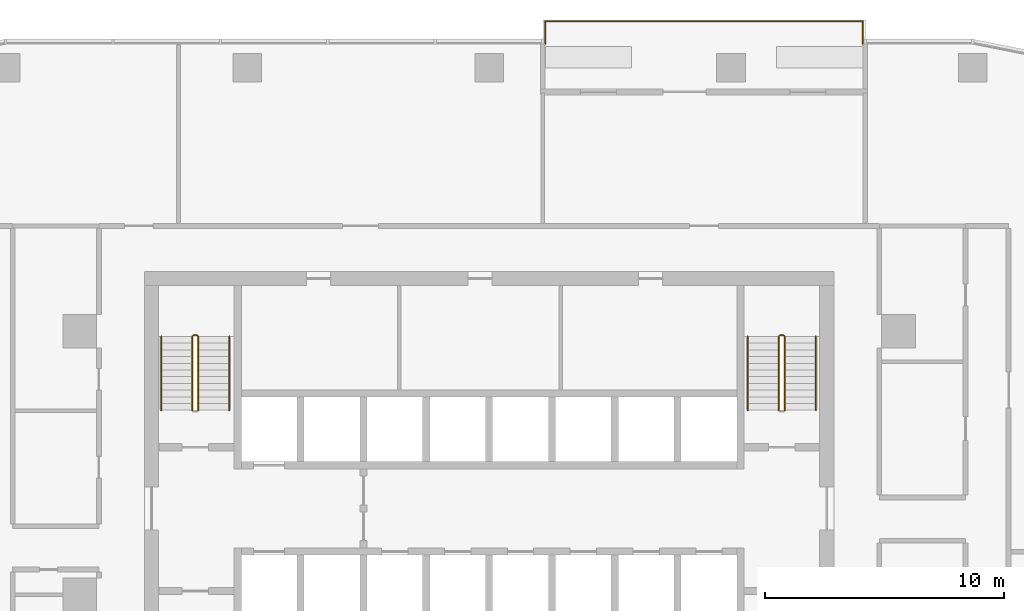
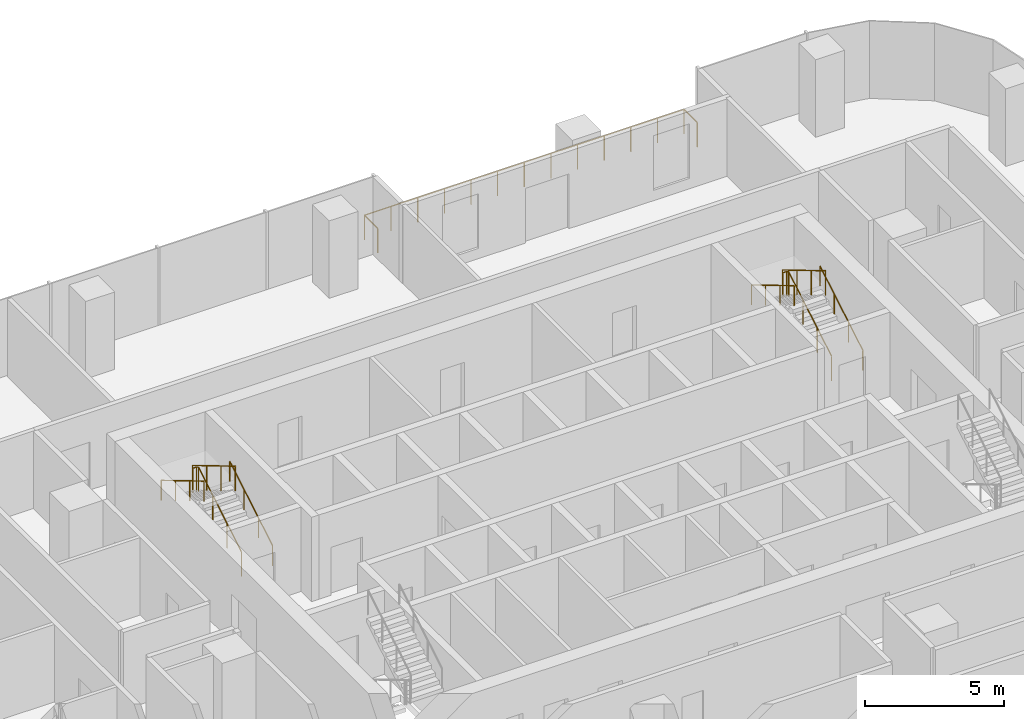
# One storey, part 14 of 14: 9 railings.
"""IFC4 building model written with IfcOpenShell, lengths in metres."""

from ifc_helpers import new_model, si_unit, direction, frame, origin, origin_2d, place, context, subcontext, project, spatial, circle, extrude, material, type_object, element, save


model = new_model("IFC4")

# Units and contexts
model_context = context("Model", 3, precision=1e-05, world=origin(), true_north=direction((0.0, 1.0)))
body_context = subcontext(model_context, "Body", "Model", "MODEL_VIEW")
ifc_project = project(units=[si_unit("LENGTHUNIT", "METRE"), si_unit("AREAUNIT", "SQUARE_METRE"), si_unit("VOLUMEUNIT", "CUBIC_METRE"), si_unit("PLANEANGLEUNIT", "RADIAN"), si_unit("MASSUNIT", "GRAM", prefix="KILO")], contexts=[model_context])

# Site, building, storey
site_placement = place(None, origin())
site = spatial("IfcSite", under=ifc_project, at=site_placement, CompositionType="ELEMENT")
building_placement = place(site_placement, origin())
building = spatial("IfcBuilding", under=site, at=building_placement, Name="Mopane Tessera Tower", CompositionType="ELEMENT")
storey_placement = place(building_placement, frame((0.0, 0.0, 201.0)))
storey = spatial("IfcBuildingStorey", under=building, at=storey_placement, Name="L42", CompositionType="ELEMENT", Elevation=201.0)

# Railings
ifc_material_1 = material(Name="Powder-coated steel balustrade", Category="steel")
railing_type_1 = type_object("IfcRailingType", Name="Escape stair guard 1100 mm", PredefinedType="GUARDRAIL", material=ifc_material_1)
railing_1_placement = place(storey_placement, frame((-12.14990234375, 7.699951171875, 0.166748046875)))
element("IfcRailing", 1, at=railing_1_placement, inside=storey, type_object=railing_type_1, Name="L42 ST2 stair guard 1", PredefinedType="GUARDRAIL", context=body_context, shape_type="SweptSolid", body=[
    extrude(circle(Radius=0.02392578125, at=origin_2d()), frame((0.0, 0.0, 1.076171875), z_axis=(0.0, 0.859308565015, 0.511457515432), x_axis=(-1.0, 0.0, 0.0)), (0.0, 0.0, 1.0), 3.58447265625),
    extrude(circle(Radius=0.02392578125, at=origin_2d()), frame((0.0, 3.080078125, 2.9091796875), z_axis=(-0.707106781187, 0.707106781187, 0.0), x_axis=(-0.707106781187, -0.707106781187, 0.0)), (0.0, 0.0, 1.0), 0.07080078125),
    extrude(circle(Radius=0.02392578125, at=origin_2d()), frame((-0.050048828125, 3.130126953125, 2.9091796875), z_axis=(-1.0, 0.0, 0.0), x_axis=(0.0, -1.0, 0.0)), (0.0, 0.0, 1.0), 0.150146484375),
    extrude(circle(Radius=0.02099609375, at=origin_2d()), origin(), (0.0, 0.0, 1.0), 1.052001953125),
    extrude(circle(Radius=0.02099609375, at=origin_2d()), frame((0.0, 1.026611328125, 0.611083984375)), (0.0, 0.0, 1.0), 1.052001953125),
    extrude(circle(Radius=0.02099609375, at=origin_2d()), frame((0.0, 2.053466796875, 1.22216796875)), (0.0, 0.0, 1.0), 1.052001953125),
    extrude(circle(Radius=0.02099609375, at=origin_2d()), frame((0.0, 3.080078125, 1.833251953125)), (0.0, 0.0, 1.0), 1.052001953125),
    extrude(circle(Radius=0.02099609375, at=origin_2d()), frame((-0.050048828125, 3.130126953125, 1.833251953125)), (0.0, 0.0, 1.0), 1.052001953125),
    extrude(circle(Radius=0.02099609375, at=origin_2d()), frame((-0.2001953125, 3.130126953125, 1.833251953125)), (0.0, 0.0, 1.0), 1.052001953125),
])
railing_2_placement = place(storey_placement, frame((-12.39990234375, 10.780029296875, 2.166748046875)))
element("IfcRailing", 2, at=railing_2_placement, inside=storey, type_object=railing_type_1, Name="L42 ST2 stair guard 2", PredefinedType="GUARDRAIL", context=body_context, shape_type="SweptSolid", body=[
    extrude(circle(Radius=0.02392578125, at=origin_2d()), frame((0.0, 0.0, 1.076171875), z_axis=(0.0, -0.859308565015, 0.511457515432), x_axis=(1.0, 0.0, 0.0)), (0.0, 0.0, 1.0), 3.58447265625),
    extrude(circle(Radius=0.02099609375, at=origin_2d()), origin(), (0.0, 0.0, 1.0), 1.052001953125),
    extrude(circle(Radius=0.02099609375, at=origin_2d()), frame((0.0, -1.026611328125, 0.611083984375)), (0.0, 0.0, 1.0), 1.052001953125),
    extrude(circle(Radius=0.02099609375, at=origin_2d()), frame((0.0, -2.053466796875, 1.22216796875)), (0.0, 0.0, 1.0), 1.052001953125),
    extrude(circle(Radius=0.02099609375, at=origin_2d()), frame((0.0, -3.080078125, 1.833251953125)), (0.0, 0.0, 1.0), 1.052001953125),
])
railing_3_placement = place(storey_placement, frame((12.35009765625, 7.699951171875, 0.166748046875)))
element("IfcRailing", 3, at=railing_3_placement, inside=storey, type_object=railing_type_1, Name="L42 ST4 stair guard 1", PredefinedType="GUARDRAIL", context=body_context, shape_type="SweptSolid", body=[
    extrude(circle(Radius=0.02392578125, at=origin_2d()), frame((0.0, 0.0, 1.076171875), z_axis=(0.0, 0.859308565015, 0.511457515432), x_axis=(-1.0, 0.0, 0.0)), (0.0, 0.0, 1.0), 3.58447265625),
    extrude(circle(Radius=0.02392578125, at=origin_2d()), frame((0.0, 3.080078125, 2.9091796875), z_axis=(-0.707106781187, 0.707106781187, 0.0), x_axis=(-0.707106781187, -0.707106781187, 0.0)), (0.0, 0.0, 1.0), 0.07080078125),
    extrude(circle(Radius=0.02392578125, at=origin_2d()), frame((-0.050048828125, 3.130126953125, 2.9091796875), z_axis=(-1.0, 0.0, 0.0), x_axis=(0.0, -1.0, 0.0)), (0.0, 0.0, 1.0), 0.150146484375),
    extrude(circle(Radius=0.02099609375, at=origin_2d()), origin(), (0.0, 0.0, 1.0), 1.052001953125),
    extrude(circle(Radius=0.02099609375, at=origin_2d()), frame((0.0, 1.026611328125, 0.611083984375)), (0.0, 0.0, 1.0), 1.052001953125),
    extrude(circle(Radius=0.02099609375, at=origin_2d()), frame((0.0, 2.053466796875, 1.22216796875)), (0.0, 0.0, 1.0), 1.052001953125),
    extrude(circle(Radius=0.02099609375, at=origin_2d()), frame((0.0, 3.080078125, 1.833251953125)), (0.0, 0.0, 1.0), 1.052001953125),
    extrude(circle(Radius=0.02099609375, at=origin_2d()), frame((-0.050048828125, 3.130126953125, 1.833251953125)), (0.0, 0.0, 1.0), 1.052001953125),
    extrude(circle(Radius=0.02099609375, at=origin_2d()), frame((-0.2001953125, 3.130126953125, 1.833251953125)), (0.0, 0.0, 1.0), 1.052001953125),
])
railing_4_placement = place(storey_placement, frame((12.10009765625, 10.780029296875, 2.166748046875)))
element("IfcRailing", 4, at=railing_4_placement, inside=storey, type_object=railing_type_1, Name="L42 ST4 stair guard 2", PredefinedType="GUARDRAIL", context=body_context, shape_type="SweptSolid", body=[
    extrude(circle(Radius=0.02392578125, at=origin_2d()), frame((0.0, 0.0, 1.076171875), z_axis=(0.0, -0.859308565015, 0.511457515432), x_axis=(1.0, 0.0, 0.0)), (0.0, 0.0, 1.0), 3.58447265625),
    extrude(circle(Radius=0.02099609375, at=origin_2d()), origin(), (0.0, 0.0, 1.0), 1.052001953125),
    extrude(circle(Radius=0.02099609375, at=origin_2d()), frame((0.0, -1.026611328125, 0.611083984375)), (0.0, 0.0, 1.0), 1.052001953125),
    extrude(circle(Radius=0.02099609375, at=origin_2d()), frame((0.0, -2.053466796875, 1.22216796875)), (0.0, 0.0, 1.0), 1.052001953125),
    extrude(circle(Radius=0.02099609375, at=origin_2d()), frame((0.0, -3.080078125, 1.833251953125)), (0.0, 0.0, 1.0), 1.052001953125),
])
ifc_material_2 = material(Name="Powder-coated steel balustrade", Category="steel")
railing_type_2 = type_object("IfcRailingType", Name="Escape stair handrail 900 mm", PredefinedType="HANDRAIL", material=ifc_material_2)
railing_5_placement = place(storey_placement, frame((-10.85009765625, 7.699951171875, 0.166748046875)))
element("IfcRailing", 5, at=railing_5_placement, inside=storey, type_object=railing_type_2, Name="L42 ST2 stair handrail 1", PredefinedType="HANDRAIL", context=body_context, shape_type="SweptSolid", body=[
    extrude(circle(Radius=0.02392578125, at=origin_2d()), frame((0.0, 0.0, 0.8759765625), z_axis=(0.0, 0.859308565015, 0.511457515432), x_axis=(-1.0, 0.0, 0.0)), (0.0, 0.0, 1.0), 3.58447265625),
    extrude(circle(Radius=0.02099609375, at=origin_2d()), origin(), (0.0, 0.0, 1.0), 0.851806640625),
    extrude(circle(Radius=0.02099609375, at=origin_2d()), frame((0.0, 1.026611328125, 0.611083984375)), (0.0, 0.0, 1.0), 0.851806640625),
    extrude(circle(Radius=0.02099609375, at=origin_2d()), frame((0.0, 2.053466796875, 1.22216796875)), (0.0, 0.0, 1.0), 0.851806640625),
    extrude(circle(Radius=0.02099609375, at=origin_2d()), frame((0.0, 3.080078125, 1.833251953125)), (0.0, 0.0, 1.0), 0.851806640625),
])
railing_6_placement = place(storey_placement, frame((-13.699951171875, 10.780029296875, 2.166748046875)))
element("IfcRailing", 6, at=railing_6_placement, inside=storey, type_object=railing_type_2, Name="L42 ST2 stair handrail 2", PredefinedType="HANDRAIL", context=body_context, shape_type="SweptSolid", body=[
    extrude(circle(Radius=0.02392578125, at=origin_2d()), frame((0.0, 0.0, 0.8759765625), z_axis=(0.0, -0.859308565015, 0.511457515432), x_axis=(1.0, 0.0, 0.0)), (0.0, 0.0, 1.0), 3.58447265625),
    extrude(circle(Radius=0.02099609375, at=origin_2d()), origin(), (0.0, 0.0, 1.0), 0.851806640625),
    extrude(circle(Radius=0.02099609375, at=origin_2d()), frame((0.0, -1.026611328125, 0.611083984375)), (0.0, 0.0, 1.0), 0.851806640625),
    extrude(circle(Radius=0.02099609375, at=origin_2d()), frame((0.0, -2.053466796875, 1.22216796875)), (0.0, 0.0, 1.0), 0.851806640625),
    extrude(circle(Radius=0.02099609375, at=origin_2d()), frame((0.0, -3.080078125, 1.833251953125)), (0.0, 0.0, 1.0), 0.851806640625),
])
railing_7_placement = place(storey_placement, frame((13.64990234375, 7.699951171875, 0.166748046875)))
element("IfcRailing", 7, at=railing_7_placement, inside=storey, type_object=railing_type_2, Name="L42 ST4 stair handrail 1", PredefinedType="HANDRAIL", context=body_context, shape_type="SweptSolid", body=[
    extrude(circle(Radius=0.02392578125, at=origin_2d()), frame((0.0, 0.0, 0.8759765625), z_axis=(0.0, 0.859308565015, 0.511457515432), x_axis=(-1.0, 0.0, 0.0)), (0.0, 0.0, 1.0), 3.58447265625),
    extrude(circle(Radius=0.02099609375, at=origin_2d()), origin(), (0.0, 0.0, 1.0), 0.851806640625),
    extrude(circle(Radius=0.02099609375, at=origin_2d()), frame((0.0, 1.026611328125, 0.611083984375)), (0.0, 0.0, 1.0), 0.851806640625),
    extrude(circle(Radius=0.02099609375, at=origin_2d()), frame((0.0, 2.053466796875, 1.22216796875)), (0.0, 0.0, 1.0), 0.851806640625),
    extrude(circle(Radius=0.02099609375, at=origin_2d()), frame((0.0, 3.080078125, 1.833251953125)), (0.0, 0.0, 1.0), 0.851806640625),
])
railing_8_placement = place(storey_placement, frame((10.800048828125, 10.780029296875, 2.166748046875)))
element("IfcRailing", 8, at=railing_8_placement, inside=storey, type_object=railing_type_2, Name="L42 ST4 stair handrail 2", PredefinedType="HANDRAIL", context=body_context, shape_type="SweptSolid", body=[
    extrude(circle(Radius=0.02392578125, at=origin_2d()), frame((0.0, 0.0, 0.8759765625), z_axis=(0.0, -0.859308565015, 0.511457515432), x_axis=(1.0, 0.0, 0.0)), (0.0, 0.0, 1.0), 3.58447265625),
    extrude(circle(Radius=0.02099609375, at=origin_2d()), origin(), (0.0, 0.0, 1.0), 0.851806640625),
    extrude(circle(Radius=0.02099609375, at=origin_2d()), frame((0.0, -1.026611328125, 0.611083984375)), (0.0, 0.0, 1.0), 0.851806640625),
    extrude(circle(Radius=0.02099609375, at=origin_2d()), frame((0.0, -2.053466796875, 1.22216796875)), (0.0, 0.0, 1.0), 0.851806640625),
    extrude(circle(Radius=0.02099609375, at=origin_2d()), frame((0.0, -3.080078125, 1.833251953125)), (0.0, 0.0, 1.0), 0.851806640625),
])
ifc_material_3 = material(Name="Stainless steel S316", Category="steel")
railing_type_3 = type_object("IfcRailingType", Name="Terrace guard 1100", PredefinedType="GUARDRAIL", material=ifc_material_3)
railing_9_placement = place(storey_placement, frame((15.611083984375, 23.0, 0.0)))
element("IfcRailing", 9, at=railing_9_placement, inside=storey, type_object=railing_type_3, Name="e:nw:L42:N3:guard", PredefinedType="GUARDRAIL", context=body_context, shape_type="SweptSolid", body=[
    extrude(circle(Radius=0.02392578125, at=origin_2d()), frame((0.0, 0.0, 1.076171875), z_axis=(0.0, 1.0, 0.0), x_axis=(-1.0, 0.0, 0.0)), (0.0, 0.0, 1.0), 0.949951171875),
    extrude(circle(Radius=0.02392578125, at=origin_2d()), frame((0.0, 0.949951171875, 1.076171875), z_axis=(-1.0, 0.0, 0.0), x_axis=(0.0, -1.0, 0.0)), (0.0, 0.0, 1.0), 13.2666015625),
    extrude(circle(Radius=0.02392578125, at=origin_2d()), frame((-13.2666015625, 0.949951171875, 1.076171875), z_axis=(0.0, -1.0, 0.0), x_axis=(1.0, 0.0, 0.0)), (0.0, 0.0, 1.0), 0.949951171875),
    extrude(circle(Radius=0.02099609375, at=origin_2d()), origin(), (0.0, 0.0, 1.0), 1.052001953125),
    extrude(circle(Radius=0.02099609375, at=origin_2d()), frame((0.0, 0.949951171875, 0.0)), (0.0, 0.0, 1.0), 1.052001953125),
    extrude(circle(Radius=0.02099609375, at=origin_2d()), frame((-1.10546875, 0.949951171875, 0.0)), (0.0, 0.0, 1.0), 1.052001953125),
    extrude(circle(Radius=0.02099609375, at=origin_2d()), frame((-2.211181640625, 0.949951171875, 0.0)), (0.0, 0.0, 1.0), 1.052001953125),
    extrude(circle(Radius=0.02099609375, at=origin_2d()), frame((-3.316650390625, 0.949951171875, 0.0)), (0.0, 0.0, 1.0), 1.052001953125),
    extrude(circle(Radius=0.02099609375, at=origin_2d()), frame((-4.422119140625, 0.949951171875, 0.0)), (0.0, 0.0, 1.0), 1.052001953125),
    extrude(circle(Radius=0.02099609375, at=origin_2d()), frame((-5.52783203125, 0.949951171875, 0.0)), (0.0, 0.0, 1.0), 1.052001953125),
    extrude(circle(Radius=0.02099609375, at=origin_2d()), frame((-6.63330078125, 0.949951171875, 0.0)), (0.0, 0.0, 1.0), 1.052001953125),
    extrude(circle(Radius=0.02099609375, at=origin_2d()), frame((-7.73876953125, 0.949951171875, 0.0)), (0.0, 0.0, 1.0), 1.052001953125),
    extrude(circle(Radius=0.02099609375, at=origin_2d()), frame((-8.844482421875, 0.949951171875, 0.0)), (0.0, 0.0, 1.0), 1.052001953125),
    extrude(circle(Radius=0.02099609375, at=origin_2d()), frame((-9.949951171875, 0.949951171875, 0.0)), (0.0, 0.0, 1.0), 1.052001953125),
    extrude(circle(Radius=0.02099609375, at=origin_2d()), frame((-11.055419921875, 0.949951171875, 0.0)), (0.0, 0.0, 1.0), 1.052001953125),
    extrude(circle(Radius=0.02099609375, at=origin_2d()), frame((-12.1611328125, 0.949951171875, 0.0)), (0.0, 0.0, 1.0), 1.052001953125),
    extrude(circle(Radius=0.02099609375, at=origin_2d()), frame((-13.2666015625, 0.949951171875, 0.0)), (0.0, 0.0, 1.0), 1.052001953125),
    extrude(circle(Radius=0.02099609375, at=origin_2d()), frame((-13.2666015625, 0.0, 0.0)), (0.0, 0.0, 1.0), 1.052001953125),
])

save(model, "model.ifc")
